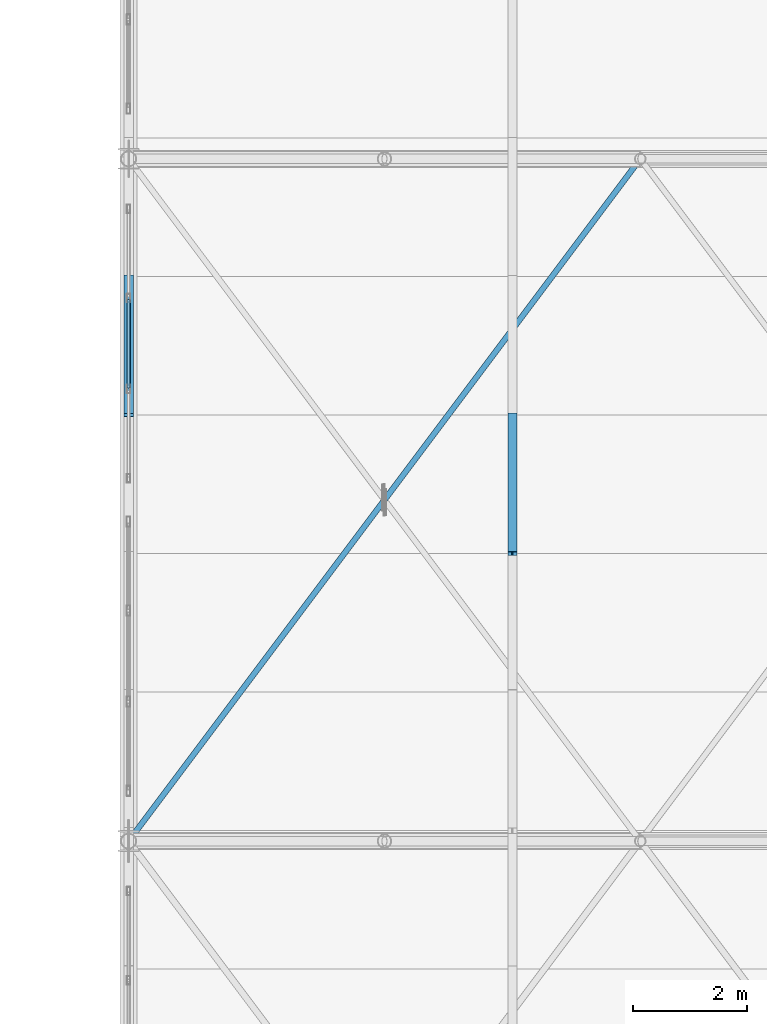
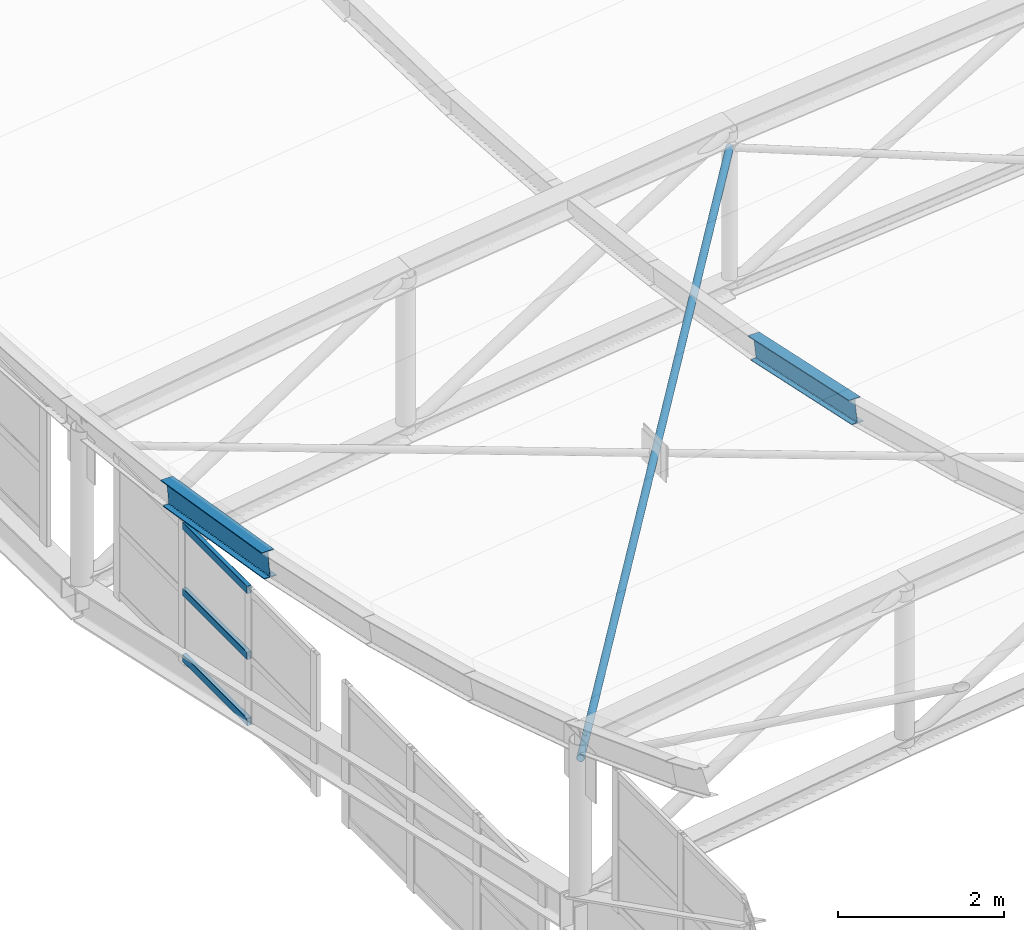
# One storey, part 80 of 262: 6 members, 1 element without a shape of its own.
"""IFC4 building model written with IfcOpenShell, lengths in metres."""

from ifc_helpers import new_model, si_unit, derived_unit, direction, frame, origin, origin_2d, place, context, subcontext, project, spatial, hollow_rectangle, hollow_circle, i_section, extrude, material, layer, layer_set, material_profile, profile_set, type_object, element, aggregate, save


model = new_model("IFC4")

# Units and contexts
model_context = context("Model", 3, precision=1e-05, world=origin(), true_north=direction((0.0, 1.0)))
body_context = subcontext(model_context, "Body", "Model", "MODEL_VIEW")
ifc_project = project(units=[si_unit("LENGTHUNIT", "METRE"), si_unit("AREAUNIT", "SQUARE_METRE"), si_unit("VOLUMEUNIT", "CUBIC_METRE"), si_unit("PLANEANGLEUNIT", "RADIAN"), si_unit("MASSUNIT", "GRAM", prefix="KILO"), derived_unit("THERMALTRANSMITTANCEUNIT", [(si_unit("POWERUNIT", "WATT"), 1), (si_unit("LENGTHUNIT", "METRE"), -2), (si_unit("THERMODYNAMICTEMPERATUREUNIT", "KELVIN"), -1)])], contexts=[model_context])

# Site, building, storey
site_placement = place(None, origin())
site = spatial("IfcSite", under=ifc_project, at=site_placement, CompositionType="ELEMENT")
building_placement = place(site_placement, origin())
building = spatial("IfcBuilding", under=site, at=building_placement, Name="Almenara Railside Exhibition Hall", CompositionType="ELEMENT")
storey_placement = place(building_placement, frame((0.0, 0.0, 21.699951171875)))
storey = spatial("IfcBuildingStorey", under=building, at=storey_placement, Name="RF", CompositionType="ELEMENT", Elevation=21.699951171875)

# Curtain wall, members
ifc_material_1 = material(Name="Bronze-anodised aluminium and low-E double glazing", Category="aluminium")
ifc_layer = layer(ifc_material_1, 0.179931640625, Name="Bronze-anodised aluminium and low-E double glazing")
ifc_layer_set = layer_set([ifc_layer], Name="Bronze-anodised aluminium and low-E double glazing")
curtain_wall_type = type_object("IfcCurtainWallType", Name="West Hall Clerestory Curtain Wall 4200x2400", PredefinedType="NOTDEFINED", material=ifc_layer_set)
curtain_wall_placement = place(storey_placement, origin())
curtain_wall = element("IfcCurtainWall", 1, at=curtain_wall_placement, inside=storey, type_object=curtain_wall_type, Name="Curtain wall CW-CL1-173", PredefinedType="NOTDEFINED")
ifc_material_2 = material(Name="Bronze-anodised aluminium", Category="aluminium")
ifc_material_profile_1 = material_profile(ifc_material_2, hollow_rectangle(XDim=0.06005859375, YDim=0.110107421875, WallThickness=0.0029296875, InnerFilletRadius=0.0029296875, OuterFilletRadius=0.006103515625, at=origin_2d()), Name="ALU-TRN 60x110x3")
ifc_profile_set_1 = profile_set([ifc_material_profile_1], Name="Bronze-anodised aluminium")
member_type_1 = type_object("IfcMemberType", Name="Curtain Wall Transom 60x110x3", PredefinedType="USERDEFINED", material=ifc_profile_set_1)
member_1_placement = place(storey_placement, frame((12.0, 67.971923828125, -1.73486328125), z_axis=(0.0, 1.0, 0.0), x_axis=(-1.0, 0.0, 0.0)))
member_1 = element("IfcMember", 2, at=member_1_placement, type_object=member_type_1, Name="CW-CL1-173 transom 2.1", ObjectType="TRANSOM", PredefinedType="USERDEFINED", context=body_context, shape_type="SweptSolid", body=[
    extrude(hollow_rectangle(XDim=0.06005859375, YDim=0.110107421875, WallThickness=0.0029296875, InnerFilletRadius=0.0029296875, OuterFilletRadius=0.006103515625, at=origin_2d()), origin(), (0.0, 0.0, 1.0), 1.55615234375),
])
member_2_placement = place(storey_placement, frame((12.0, 67.971923828125, -0.764892578125), z_axis=(0.0, 1.0, 0.0), x_axis=(-1.0, 0.0, 0.0)))
member_2 = element("IfcMember", 3, at=member_2_placement, type_object=member_type_1, Name="CW-CL1-173 transom 2.2", ObjectType="TRANSOM", PredefinedType="USERDEFINED", context=body_context, shape_type="SweptSolid", body=[
    extrude(hollow_rectangle(XDim=0.06005859375, YDim=0.110107421875, WallThickness=0.0029296875, InnerFilletRadius=0.0029296875, OuterFilletRadius=0.006103515625, at=origin_2d()), origin(), (0.0, 0.0, 1.0), 1.55615234375),
])
member_3_placement = place(storey_placement, frame((12.0, 67.971923828125, 0.205078125), z_axis=(0.0, 1.0, 0.0), x_axis=(-1.0, 0.0, 0.0)))
member_3 = element("IfcMember", 4, at=member_3_placement, type_object=member_type_1, Name="CW-CL1-173 transom 2.3", ObjectType="TRANSOM", PredefinedType="USERDEFINED", context=body_context, shape_type="SweptSolid", body=[
    extrude(hollow_rectangle(XDim=0.06005859375, YDim=0.110107421875, WallThickness=0.0029296875, InnerFilletRadius=0.0029296875, OuterFilletRadius=0.006103515625, at=origin_2d()), origin(), (0.0, 0.0, 1.0), 1.55615234375),
])
aggregate(curtain_wall, [member_1, member_2, member_3])

# Members
ifc_material_3 = material(Name="Structural steel S355JR", Category="steel")
ifc_material_profile_2 = material_profile(ifc_material_3, i_section(OverallWidth=0.159912109375, OverallDepth=0.330078125, WebThickness=0.007568359375, FlangeThickness=0.011474609375, FilletRadius=0.01806640625, at=origin_2d()), Name="IPE 330")
ifc_profile_set_2 = profile_set([ifc_material_profile_2], Name="Structural steel S355JR")
member_type_2 = type_object("IfcMemberType", Name="Gable Bay Purlin IPE 330 S355JR", PredefinedType="PURLIN", material=ifc_profile_set_2)
member_4_placement = place(storey_placement, frame((18.75, 65.056884765625, 2.23291015625), z_axis=(0.0, 0.977496103583, -0.210953472309), x_axis=(-1.0, 0.0, 0.0)))
element("IfcMember", 5, at=member_4_placement, inside=storey, type_object=member_type_2, Name="MEM-PR-V1-PR-IPE330-01-07", PredefinedType="PURLIN", context=body_context, shape_type="SweptSolid", body=[
    extrude(i_section(OverallWidth=0.159912109375, OverallDepth=0.330078125, WebThickness=0.007568359375, FlangeThickness=0.011474609375, FilletRadius=0.01806640625, at=origin_2d()), origin(), (0.0, 0.0, 1.0), 2.492919921875),
])
ifc_material_profile_3 = material_profile(ifc_material_3, i_section(OverallWidth=0.169921875, OverallDepth=0.360107421875, WebThickness=0.008056640625, FlangeThickness=0.0126953125, FilletRadius=0.01806640625, at=origin_2d()), Name="IPE 360")
ifc_profile_set_3 = profile_set([ifc_material_profile_3], Name="Structural steel S355JR")
member_type_3 = type_object("IfcMemberType", Name="Long-Span Scroll Purlin IPE 360 S355JR", PredefinedType="PURLIN", material=ifc_profile_set_3)
member_5_placement = place(storey_placement, frame((12.0, 67.49365234375, 0.8662109375), z_axis=(0.0, 0.986449960692, -0.164062412058), x_axis=(-1.0, 0.0, 0.0)))
element("IfcMember", 6, at=member_5_placement, inside=storey, type_object=member_type_3, Name="MEM-PR-V1-PR-IPE360-00-08", PredefinedType="PURLIN", context=body_context, shape_type="SweptSolid", body=[
    extrude(i_section(OverallWidth=0.169921875, OverallDepth=0.360107421875, WebThickness=0.008056640625, FlangeThickness=0.0126953125, FilletRadius=0.01806640625, at=origin_2d()), origin(), (0.0, 0.0, 1.0), 2.47021484375),
])
ifc_material_profile_4 = material_profile(ifc_material_3, hollow_circle(Radius=0.05078125, WallThickness=0.00390625, at=origin_2d()), Name="CHS 101.6x4")
ifc_profile_set_4 = profile_set([ifc_material_profile_4], Name="Structural steel S355JR")
member_type_4 = type_object("IfcMemberType", Name="Scroll Wind Plan Brace CHS 101.6x4 S355JR", PredefinedType="BRACE", material=ifc_profile_set_4)
member_6_placement = place(storey_placement, frame((12.0, 60.0, 2.561279296875), z_axis=(0.597199566893, 0.796266089191, -0.096503847113), x_axis=(-0.8, 0.6, 0.0)))
element("IfcMember", 7, at=member_6_placement, inside=storey, type_object=member_type_4, Name="MEM-WB-V1-WB-CHS102-01-00-C", PredefinedType="BRACE", context=body_context, shape_type="SweptSolid", body=[
    extrude(hollow_circle(Radius=0.05078125, WallThickness=0.00390625, at=origin_2d()), origin(), (0.0, 0.0, 1.0), 15.0703125),
])

save(model, "model.ifc")
